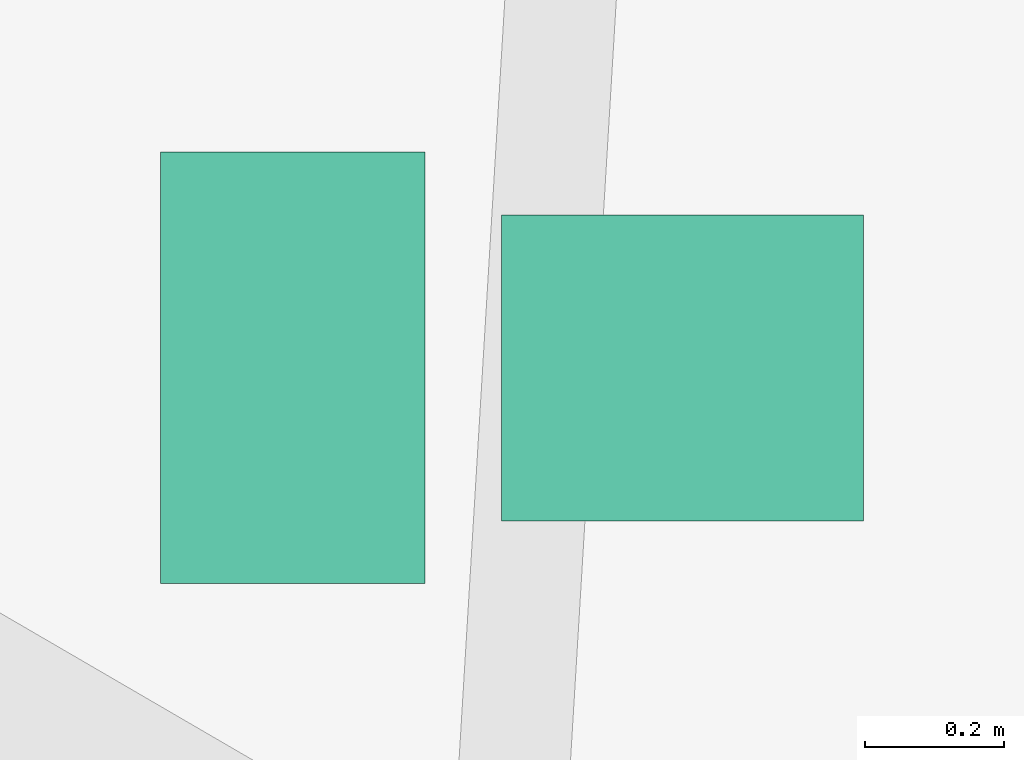
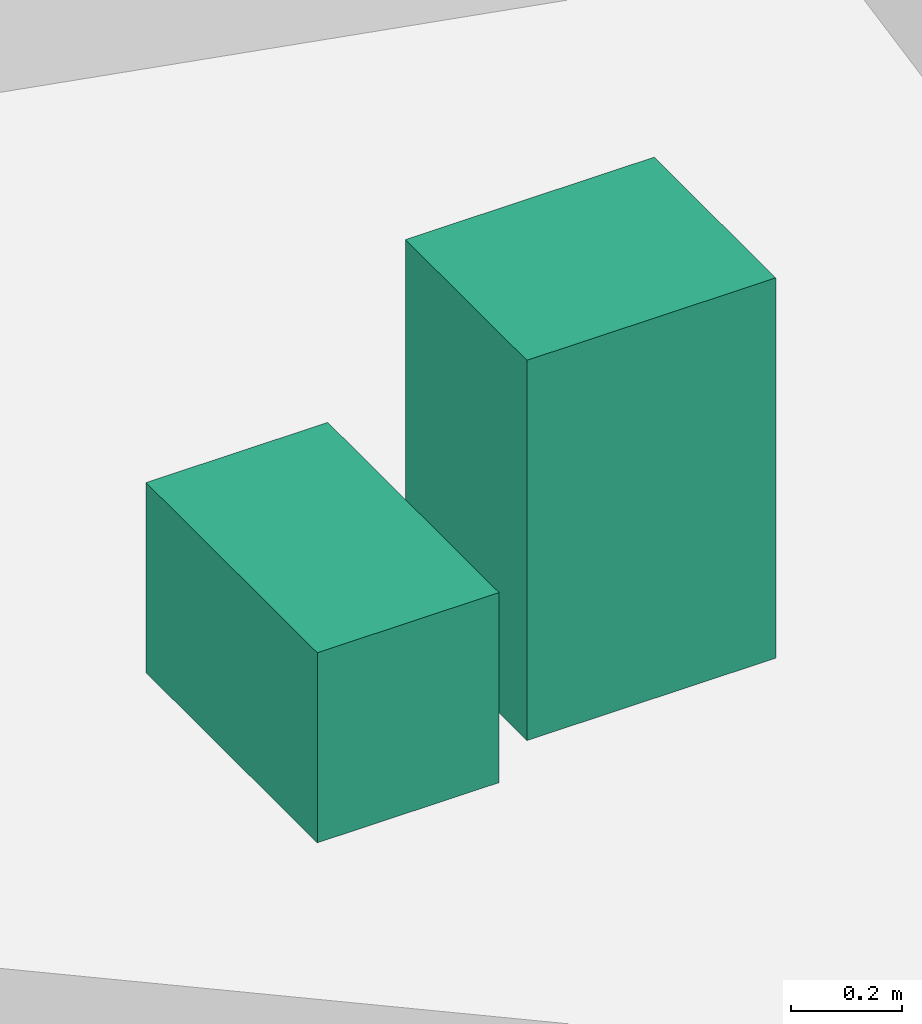
# One storey, part 11 of 11: 2 sanitary terminals.
"""IFC4 building model written with IfcOpenShell, lengths in metres."""

from ifc_helpers import new_model, si_unit, direction, frame, origin, origin_2d, place, context, subcontext, project, spatial, rectangle, extrude, source, transform, mapped, material, type_object, element, save


model = new_model("IFC4")

# Units and contexts
model_context = context("Model", 3, precision=1e-05, world=origin(), true_north=direction((0.0, 1.0)))
body_context = subcontext(model_context, "Body", "Model", "MODEL_VIEW")
ifc_project = project(units=[si_unit("LENGTHUNIT", "METRE"), si_unit("AREAUNIT", "SQUARE_METRE"), si_unit("VOLUMEUNIT", "CUBIC_METRE"), si_unit("PLANEANGLEUNIT", "RADIAN"), si_unit("MASSUNIT", "GRAM", prefix="KILO")], contexts=[model_context])

# Site, building, storey
site_placement = place(None, origin())
site = spatial("IfcSite", under=ifc_project, at=site_placement, CompositionType="ELEMENT")
building_placement = place(site_placement, origin())
building = spatial("IfcBuilding", under=site, at=building_placement, Name="Qafzar Sky-Pleat Residences", CompositionType="ELEMENT")
storey_placement = place(building_placement, frame((0.0, 0.0, 240.39990234375)))
storey = spatial("IfcBuildingStorey", under=building, at=storey_placement, Name="L72", CompositionType="ELEMENT", Elevation=240.39990234375)

# Sanitary terminals
ifc_material = material(Name="Vitreous china sanitaryware")
sanitary_terminal_type_1 = type_object("IfcSanitaryTerminalType", Name="SAN-WC-PAN", PredefinedType="TOILETPAN", material=ifc_material)
shared_shape_1 = source(origin(), body_context, "Body", "SweptSolid", [
    extrude(rectangle(XDim=0.3798828125, YDim=0.6201171875, at=origin_2d()), origin(), (0.0, 0.0, 1.0), 0.419921875),
])
sanitary_terminal_1_placement = place(storey_placement, frame((39.267822265625, 21.529541015625, 0.000244140625), z_axis=(0.0, 0.0, 1.0), x_axis=(1.0, 0.0, 0.0)))
element("IfcSanitaryTerminal", 1, at=sanitary_terminal_1_placement, inside=storey, type_object=sanitary_terminal_type_1, Name="L72 Accessible Shared Washroom WC Pan", PredefinedType="TOILETPAN", context=body_context, shape_type="MappedRepresentation", body=[
    mapped(shared_shape_1, transform((0.0, 0.0, 0.0), x_axis=(1.0, 0.0, 0.0), y_axis=(0.0, 1.0, 0.0), z_axis=(0.0, 0.0, 1.0), scale=1.0)),
])
sanitary_terminal_type_2 = type_object("IfcSanitaryTerminalType", Name="SAN-BASIN", PredefinedType="WASHHANDBASIN", material=ifc_material)
shared_shape_2 = source(origin(), body_context, "Body", "SweptSolid", [
    extrude(rectangle(XDim=0.52001953125, YDim=0.43994140625, at=origin_2d()), origin(), (0.0, 0.0, 1.0), 0.840087890625),
])
sanitary_terminal_2_placement = place(storey_placement, frame((39.827880859375, 21.529541015625, 0.0), z_axis=(0.0, 0.0, 1.0), x_axis=(1.0, 0.0, 0.0)))
element("IfcSanitaryTerminal", 2, at=sanitary_terminal_2_placement, inside=storey, type_object=sanitary_terminal_type_2, Name="L72 Accessible Shared Washroom Pedestal Washbasin", PredefinedType="WASHHANDBASIN", context=body_context, shape_type="MappedRepresentation", body=[
    mapped(shared_shape_2, transform((0.0, 0.0, 0.0), x_axis=(1.0, 0.0, 0.0), y_axis=(0.0, 1.0, 0.0), z_axis=(0.0, 0.0, 1.0), scale=1.0)),
])

save(model, "model.ifc")
